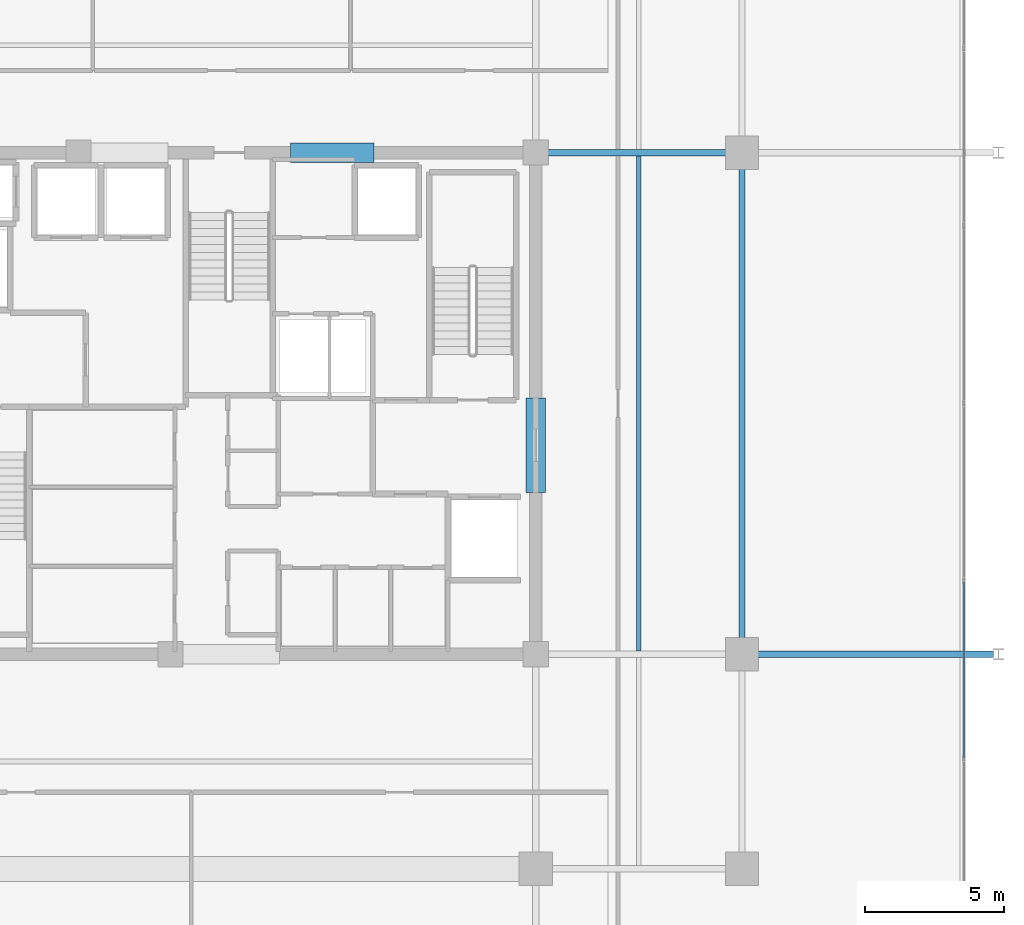
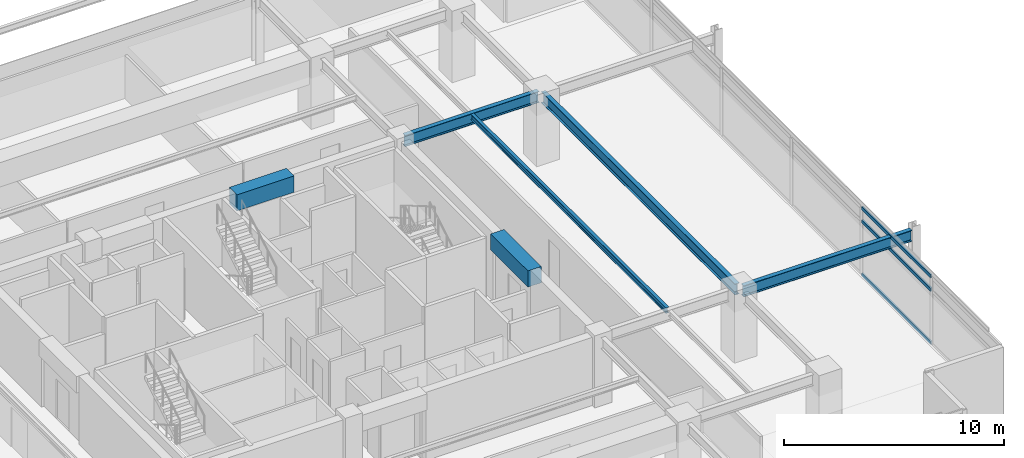
# One storey, part 8 of 21: 6 beams, 3 members, 1 element without a shape of its own.
"""IFC4 building model written with IfcOpenShell, lengths in metres."""

from ifc_helpers import new_model, si_unit, direction, frame, origin, origin_2d, place, context, subcontext, project, spatial, rectangle, hollow_rectangle, i_section, extrude, material, material_profile, profile_set, type_object, element, aggregate, save


model = new_model("IFC4")

# Units and contexts
model_context = context("Model", 3, precision=1e-05, world=origin(), true_north=direction((0.0, 1.0)))
body_context = subcontext(model_context, "Body", "Model", "MODEL_VIEW")
ifc_project = project(units=[si_unit("LENGTHUNIT", "METRE"), si_unit("AREAUNIT", "SQUARE_METRE"), si_unit("VOLUMEUNIT", "CUBIC_METRE"), si_unit("PLANEANGLEUNIT", "RADIAN"), si_unit("MASSUNIT", "GRAM", prefix="KILO")], contexts=[model_context])

# Site, building, storey
site_placement = place(None, origin())
site = spatial("IfcSite", under=ifc_project, at=site_placement, CompositionType="ELEMENT")
building_placement = place(site_placement, origin())
building = spatial("IfcBuilding", under=site, at=building_placement, Name="Kovane Verandah Tower", CompositionType="ELEMENT")
storey_placement = place(building_placement, frame((0.0, 0.0, 247.199951171875)))
storey = spatial("IfcBuildingStorey", under=building, at=storey_placement, Name="L57", CompositionType="ELEMENT", Elevation=247.199951171875)

# Beams
ifc_material_1 = material(Name="Concrete C60/75", Category="concrete")
ifc_material_profile_1 = material_profile(ifc_material_1, rectangle(XDim=0.699951171875, YDim=0.89990234375, at=origin_2d()), Name="RCB700x900")
ifc_profile_set_1 = profile_set([ifc_material_profile_1], Name="Concrete C60/75")
beam_type_1 = type_object("IfcBeamType", Name="BM-LINTEL-700x900", PredefinedType="LINTEL", material=ifc_profile_set_1)
beam_1_placement = place(storey_placement, frame((42.199951171875, 36.5, 3.3349609375), z_axis=(1.0, 0.0, 0.0), x_axis=(0.0, 1.0, 0.0)))
element("IfcBeam", 1, at=beam_1_placement, inside=storey, type_object=beam_type_1, Name="L57 Core Coupling Lintel CL-N2", PredefinedType="LINTEL", context=body_context, shape_type="SweptSolid", body=[
    extrude(rectangle(XDim=0.699951171875, YDim=0.89990234375, at=origin_2d()), origin(), (0.0, 0.0, 1.0), 3.0),
])
beam_2_placement = place(storey_placement, frame((51.0, 24.300048828125, 3.3349609375), z_axis=(0.0, 1.0, 0.0), x_axis=(-1.0, 0.0, 0.0)))
element("IfcBeam", 2, at=beam_2_placement, inside=storey, type_object=beam_type_1, Name="L57 Core Coupling Lintel CL-E", PredefinedType="LINTEL", context=body_context, shape_type="SweptSolid", body=[
    extrude(rectangle(XDim=0.699951171875, YDim=0.89990234375, at=origin_2d()), origin(), (0.0, 0.0, 1.0), 3.39990234375),
])
ifc_material_2 = material(Name="Steel S355", Category="steel")
ifc_material_profile_2 = material_profile(ifc_material_2, i_section(OverallWidth=0.230224609375, OverallDepth=0.6171875, WebThickness=0.01318359375, FlangeThickness=0.022216796875, FilletRadius=0.0126953125, at=origin_2d()), Name="UB610x229x140")
ifc_profile_set_2 = profile_set([ifc_material_profile_2], Name="Steel S355")
beam_type_2 = type_object("IfcBeamType", Name="BM-UB610x140", PredefinedType="BEAM", material=ifc_profile_set_2)
beam_3_placement = place(storey_placement, frame((58.39990234375, 18.679931640625, 3.4765625), z_axis=(0.0, 1.0, 0.0), x_axis=(-1.0, 0.0, 0.0)))
element("IfcBeam", 3, at=beam_3_placement, inside=storey, type_object=beam_type_2, Name="L57 Primary Tower Girder G-RE2", PredefinedType="BEAM", context=body_context, shape_type="SweptSolid", body=[
    extrude(i_section(OverallWidth=0.230224609375, OverallDepth=0.6171875, WebThickness=0.01318359375, FlangeThickness=0.022216796875, FilletRadius=0.0126953125, at=origin_2d()), origin(), (0.0, 0.0, 1.0), 17.64013671875),
])
beam_4_placement = place(storey_placement, frame((51.179931640625, 36.5, 3.4765625), z_axis=(1.0, 0.0, 0.0), x_axis=(0.0, 1.0, 0.0)))
element("IfcBeam", 4, at=beam_4_placement, inside=storey, type_object=beam_type_2, Name="L57 Primary Tower Girder G-E2", PredefinedType="BEAM", context=body_context, shape_type="SweptSolid", body=[
    extrude(i_section(OverallWidth=0.230224609375, OverallDepth=0.6171875, WebThickness=0.01318359375, FlangeThickness=0.022216796875, FilletRadius=0.0126953125, at=origin_2d()), origin(), (0.0, 0.0, 1.0), 7.0400390625),
])
beam_5_placement = place(storey_placement, frame((58.580078125, 18.5, 3.451416015625), z_axis=(1.0, 0.0, 0.0), x_axis=(0.0, 1.0, 0.0)))
element("IfcBeam", 5, at=beam_5_placement, inside=storey, type_object=beam_type_2, Name="L57 Primary Tower Girder G-VE1", PredefinedType="BEAM", context=body_context, shape_type="SweptSolid", body=[
    extrude(i_section(OverallWidth=0.230224609375, OverallDepth=0.6171875, WebThickness=0.01318359375, FlangeThickness=0.022216796875, FilletRadius=0.0126953125, at=origin_2d()), origin(), (0.0, 0.0, 1.0), 8.83984375),
])

# Curtain wall, members
ifc_material_3 = material(Name="Champagne Anodised Aluminium Frame with Low-E Clear Laminated Glass", Category="aluminium")
curtain_wall_type = type_object("IfcCurtainWallType", Name="CW-SYS-05-HIGH", PredefinedType="NOTDEFINED", material=ifc_material_3)
curtain_wall_placement = place(storey_placement, origin())
curtain_wall = element("IfcCurtainWall", 6, at=curtain_wall_placement, inside=storey, type_object=curtain_wall_type, Name="L57 E Unitised Curtain Wall", PredefinedType="NOTDEFINED")
ifc_material_4 = material(Name="Champagne Anodised Aluminium 6063-T6", Category="aluminium")
ifc_material_profile_3 = material_profile(ifc_material_4, hollow_rectangle(XDim=0.0849609375, YDim=0.18994140625, WallThickness=0.00390625, at=origin_2d()), Name="AL85x190x4")
ifc_profile_set_3 = profile_set([ifc_material_profile_3], Name="Champagne Anodised Aluminium 6063-T6")
member_type = type_object("IfcMemberType", Name="CW-TRN-85x190", PredefinedType="USERDEFINED", material=ifc_profile_set_3)
member_1_placement = place(storey_placement, frame((66.366455078125, 14.804443359375, 0.050048828125), z_axis=(0.0, 1.0, 0.0), x_axis=(-1.0, 0.0, 0.0)))
member_1 = element("IfcMember", 7, at=member_1_placement, type_object=member_type, Name="L57 E Unitised Curtain Wall Transom TB Bay 2", ObjectType="TRANSOM", PredefinedType="USERDEFINED", context=body_context, shape_type="SweptSolid", body=[
    extrude(hollow_rectangle(XDim=0.0849609375, YDim=0.18994140625, WallThickness=0.00390625, at=origin_2d()), origin(), (0.0, 0.0, 1.0), 6.27294921875),
])
member_2_placement = place(storey_placement, frame((66.366455078125, 14.804443359375, 3.005126953125), z_axis=(0.0, 1.0, 0.0), x_axis=(-1.0, 0.0, 0.0)))
member_2 = element("IfcMember", 8, at=member_2_placement, type_object=member_type, Name="L57 E Unitised Curtain Wall Transom TM Bay 2", ObjectType="TRANSOM", PredefinedType="USERDEFINED", context=body_context, shape_type="SweptSolid", body=[
    extrude(hollow_rectangle(XDim=0.0849609375, YDim=0.18994140625, WallThickness=0.00390625, at=origin_2d()), origin(), (0.0, 0.0, 1.0), 6.27294921875),
])
member_3_placement = place(storey_placement, frame((66.366455078125, 14.804443359375, 3.735107421875), z_axis=(0.0, 1.0, 0.0), x_axis=(-1.0, 0.0, 0.0)))
member_3 = element("IfcMember", 9, at=member_3_placement, type_object=member_type, Name="L57 E Unitised Curtain Wall Transom TT Bay 2", ObjectType="TRANSOM", PredefinedType="USERDEFINED", context=body_context, shape_type="SweptSolid", body=[
    extrude(hollow_rectangle(XDim=0.0849609375, YDim=0.18994140625, WallThickness=0.00390625, at=origin_2d()), origin(), (0.0, 0.0, 1.0), 6.27294921875),
])
aggregate(curtain_wall, [member_1, member_2, member_3])

# Beam
ifc_material_profile_4 = material_profile(ifc_material_2, i_section(OverallWidth=0.1669921875, OverallDepth=0.310302734375, WebThickness=0.0078125, FlangeThickness=0.013671875, FilletRadius=0.0087890625, at=origin_2d()), Name="UB305x165x54")
ifc_profile_set_4 = profile_set([ifc_material_profile_4], Name="Steel S355")
beam_type_3 = type_object("IfcBeamType", Name="JST-UB305x54", PredefinedType="JOIST", material=ifc_profile_set_4)
beam_6_placement = place(storey_placement, frame((54.699951171875, 18.613037109375, 3.6298828125), z_axis=(0.0, 1.0, 0.0), x_axis=(-1.0, 0.0, 0.0)))
element("IfcBeam", 10, at=beam_6_placement, inside=storey, type_object=beam_type_3, Name="L57 Secondary Composite Joist J-E1", PredefinedType="JOIST", context=body_context, shape_type="SweptSolid", body=[
    extrude(i_section(OverallWidth=0.1669921875, OverallDepth=0.310302734375, WebThickness=0.0078125, FlangeThickness=0.013671875, FilletRadius=0.0087890625, at=origin_2d()), origin(), (0.0, 0.0, 1.0), 17.77392578125),
])

save(model, "model.ifc")
